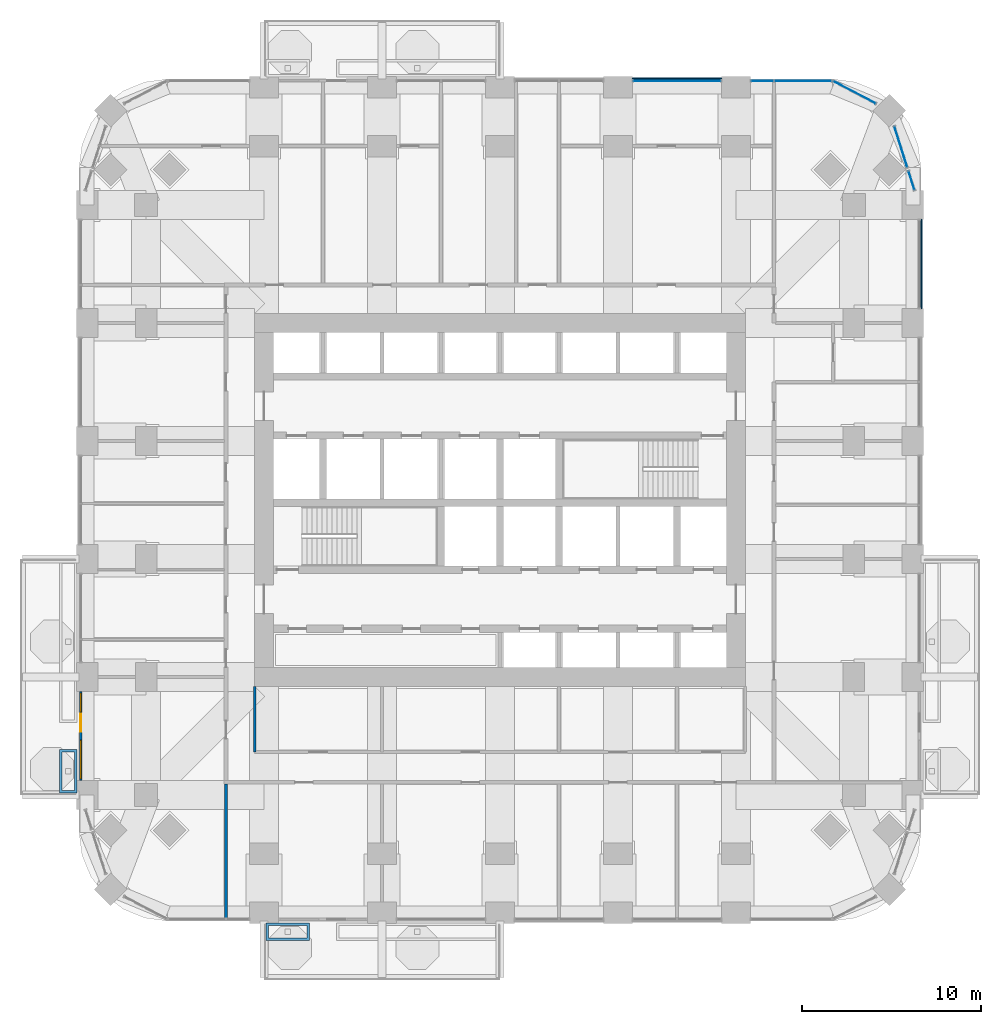
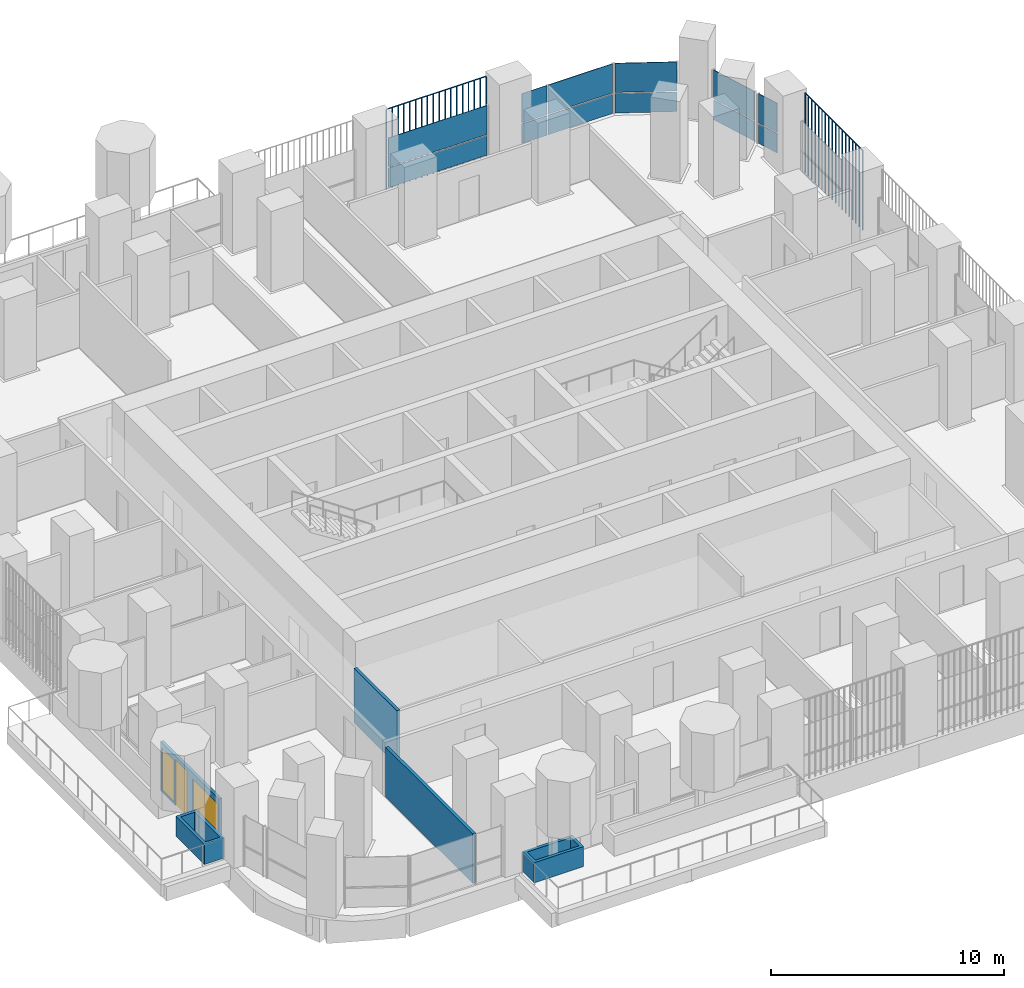
# One storey, part 12 of 21: 14 plates, 5 walls, 2 windows, 1 door, 3 openings, 5 elements without a shape of their own.
"""IFC4 building model written with IfcOpenShell, lengths in metres."""

from ifc_helpers import new_model, si_unit, direction, frame, frame_2d, origin, origin_2d, place, context, subcontext, project, spatial, polyline, rectangle, outline, extrude, material, layer, layer_set, type_object, element, fill, aggregate, save


model = new_model("IFC4")

# Units and contexts
model_context = context("Model", 3, precision=1e-05, world=origin(), true_north=direction((0.0, 1.0)))
body_context = subcontext(model_context, "Body", "Model", "MODEL_VIEW")
ifc_project = project(units=[si_unit("LENGTHUNIT", "METRE"), si_unit("AREAUNIT", "SQUARE_METRE"), si_unit("VOLUMEUNIT", "CUBIC_METRE"), si_unit("PLANEANGLEUNIT", "RADIAN"), si_unit("MASSUNIT", "GRAM", prefix="KILO")], contexts=[model_context])

# Site, building, storey
site_placement = place(None, origin())
site = spatial("IfcSite", under=ifc_project, at=site_placement, CompositionType="ELEMENT")
building_placement = place(site_placement, origin())
building = spatial("IfcBuilding", under=site, at=building_placement, Name="Cobogo Forest Laboratory Tower", CompositionType="ELEMENT")
storey_placement = place(building_placement, frame((0.0, 0.0, 141.0)))
storey = spatial("IfcBuildingStorey", under=building, at=storey_placement, Name="L32", CompositionType="ELEMENT", Elevation=141.0)

# Curtain wall, plates
ifc_material_1 = material(Name="Aluminium curtain wall", Category="aluminium")
curtain_wall_type = type_object("IfcCurtainWallType", Name="CW-1 unitised curtain wall, clear glazing, laboratory floors zones A and B", PredefinedType="USERDEFINED", material=ifc_material_1)
curtain_wall_1_placement = place(storey_placement, origin())
curtain_wall_1 = element("IfcCurtainWall", 1, at=curtain_wall_1_placement, inside=storey, type_object=curtain_wall_type, Name="Curtain wall 15 L32", ObjectType="UNITISED CURTAIN WALL", PredefinedType="USERDEFINED")
ifc_material_2 = material(Name="Clear insulated glass", Category="glass")
ifc_layer_1 = layer(ifc_material_2, 0.028076171875)
ifc_layer_set_1 = layer_set([ifc_layer_1], Name="GP-1 clear insulated glass unit 28")
plate_type_1 = type_object("IfcPlateType", Name="GP-1 clear insulated glass unit 28", PredefinedType="CURTAIN_PANEL", material=ifc_layer_set_1)
plate_1_placement = place(storey_placement, frame((49.41796875, 40.9677734375, 0.0), z_axis=(0.0, 0.0, 1.0), x_axis=(-0.301135667865, 0.953581307252, 0.0)))
plate_1 = element("IfcPlate", 2, at=plate_1_placement, type_object=plate_type_1, Name="CW-1 panel 1.1", PredefinedType="CURTAIN_PANEL", context=body_context, shape_type="SweptSolid", body=[
    extrude(rectangle(XDim=1.071044921875, YDim=0.028076171875, at=origin_2d()), origin(), (0.0, 0.0, 1.0), 1.02001953125),
])
plate_2_placement = place(storey_placement, frame((49.41796875, 40.9677734375, 1.080078125), z_axis=(0.0, 0.0, 1.0), x_axis=(-0.301135667865, 0.953581307252, 0.0)))
plate_2 = element("IfcPlate", 3, at=plate_2_placement, type_object=plate_type_1, Name="CW-1 panel 1.2", PredefinedType="CURTAIN_PANEL", context=body_context, shape_type="SweptSolid", body=[
    extrude(rectangle(XDim=1.071044921875, YDim=0.028076171875, at=origin_2d()), origin(), (0.0, 0.0, 1.0), 1.52001953125),
])
aggregate(curtain_wall_1, [plate_1, plate_2])

curtain_wall_2_placement = place(storey_placement, origin())
curtain_wall_2 = element("IfcCurtainWall", 4, at=curtain_wall_2_placement, inside=storey, type_object=curtain_wall_type, Name="Curtain wall 16 L32", ObjectType="UNITISED CURTAIN WALL", PredefinedType="USERDEFINED")
plate_3_placement = place(storey_placement, frame((48.8212890625, 42.857421875, 0.0), z_axis=(0.0, 0.0, 1.0), x_axis=(-0.301135291996, 0.953581425949, 0.0)))
plate_3 = element("IfcPlate", 5, at=plate_3_placement, type_object=plate_type_1, Name="CW-1 panel 1.1", PredefinedType="CURTAIN_PANEL", context=body_context, shape_type="SweptSolid", body=[
    extrude(rectangle(XDim=2.3681640625, YDim=0.028076171875, at=origin_2d()), origin(), (0.0, 0.0, 1.0), 1.02001953125),
])
plate_4_placement = place(storey_placement, frame((48.8212890625, 42.857421875, 1.080078125), z_axis=(0.0, 0.0, 1.0), x_axis=(-0.301135291996, 0.953581425949, 0.0)))
plate_4 = element("IfcPlate", 6, at=plate_4_placement, type_object=plate_type_1, Name="CW-1 panel 1.2", PredefinedType="CURTAIN_PANEL", context=body_context, shape_type="SweptSolid", body=[
    extrude(rectangle(XDim=2.3681640625, YDim=0.028076171875, at=origin_2d()), origin(), (0.0, 0.0, 1.0), 1.52001953125),
])
aggregate(curtain_wall_2, [plate_3, plate_4])

curtain_wall_3_placement = place(storey_placement, origin())
curtain_wall_3 = element("IfcCurtainWall", 7, at=curtain_wall_3_placement, inside=storey, type_object=curtain_wall_type, Name="Curtain wall 17 L32", ObjectType="UNITISED CURTAIN WALL", PredefinedType="USERDEFINED")
plate_5_placement = place(storey_placement, frame((46.229248046875, 45.90576171875, 0.0), z_axis=(0.0, 0.0, 1.0), x_axis=(-0.885686547075, 0.464283685186, 0.0)))
plate_5 = element("IfcPlate", 8, at=plate_5_placement, type_object=plate_type_1, Name="CW-1 panel 1.1", PredefinedType="CURTAIN_PANEL", context=body_context, shape_type="SweptSolid", body=[
    extrude(rectangle(XDim=2.655517578125, YDim=0.028076171875, at=origin_2d()), origin(), (0.0, 0.0, 1.0), 1.02001953125),
])
plate_6_placement = place(storey_placement, frame((46.229248046875, 45.90576171875, 1.080078125), z_axis=(0.0, 0.0, 1.0), x_axis=(-0.885686547075, 0.464283685186, 0.0)))
plate_6 = element("IfcPlate", 9, at=plate_6_placement, type_object=plate_type_1, Name="CW-1 panel 1.2", PredefinedType="CURTAIN_PANEL", context=body_context, shape_type="SweptSolid", body=[
    extrude(rectangle(XDim=2.655517578125, YDim=0.028076171875, at=origin_2d()), origin(), (0.0, 0.0, 1.0), 1.52001953125),
])
aggregate(curtain_wall_3, [plate_5, plate_6])

curtain_wall_4_placement = place(storey_placement, origin())
curtain_wall_4 = element("IfcCurtainWall", 10, at=curtain_wall_4_placement, inside=storey, type_object=curtain_wall_type, Name="Curtain wall 18 L32", ObjectType="UNITISED CURTAIN WALL", PredefinedType="USERDEFINED")
plate_7_placement = place(storey_placement, frame((43.347412109375, 46.550048828125, 0.0), z_axis=(0.0, 0.0, 1.0), x_axis=(-1.0, 0.0, 0.0)))
plate_7 = element("IfcPlate", 11, at=plate_7_placement, type_object=plate_type_1, Name="CW-1 panel 1.1", PredefinedType="CURTAIN_PANEL", context=body_context, shape_type="SweptSolid", body=[
    extrude(rectangle(XDim=3.18505859375, YDim=0.028076171875, at=origin_2d()), origin(), (0.0, 0.0, 1.0), 1.02001953125),
])
plate_8_placement = place(storey_placement, frame((43.347412109375, 46.550048828125, 1.080078125), z_axis=(0.0, 0.0, 1.0), x_axis=(-1.0, 0.0, 0.0)))
plate_8 = element("IfcPlate", 12, at=plate_8_placement, type_object=plate_type_1, Name="CW-1 panel 1.2", PredefinedType="CURTAIN_PANEL", context=body_context, shape_type="SweptSolid", body=[
    extrude(rectangle(XDim=3.18505859375, YDim=0.028076171875, at=origin_2d()), origin(), (0.0, 0.0, 1.0), 1.52001953125),
])
plate_9_placement = place(storey_placement, frame((41.077392578125, 46.550048828125, 0.0), z_axis=(0.0, 0.0, 1.0), x_axis=(-1.0, 0.0, 0.0)))
plate_9 = element("IfcPlate", 13, at=plate_9_placement, type_object=plate_type_1, Name="CW-1 panel 2.1", PredefinedType="CURTAIN_PANEL", context=body_context, shape_type="SweptSolid", body=[
    extrude(rectangle(XDim=1.235107421875, YDim=0.028076171875, at=origin_2d()), origin(), (0.0, 0.0, 1.0), 1.02001953125),
])
plate_10_placement = place(storey_placement, frame((41.077392578125, 46.550048828125, 1.080078125), z_axis=(0.0, 0.0, 1.0), x_axis=(-1.0, 0.0, 0.0)))
plate_10 = element("IfcPlate", 14, at=plate_10_placement, type_object=plate_type_1, Name="CW-1 panel 2.2", PredefinedType="CURTAIN_PANEL", context=body_context, shape_type="SweptSolid", body=[
    extrude(rectangle(XDim=1.235107421875, YDim=0.028076171875, at=origin_2d()), origin(), (0.0, 0.0, 1.0), 1.52001953125),
])
aggregate(curtain_wall_4, [plate_7, plate_8, plate_9, plate_10])

curtain_wall_5_placement = place(storey_placement, origin())
curtain_wall_5 = element("IfcCurtainWall", 15, at=curtain_wall_5_placement, inside=storey, type_object=curtain_wall_type, Name="Curtain wall 19 L32", ObjectType="UNITISED CURTAIN WALL", PredefinedType="USERDEFINED")
plate_11_placement = place(storey_placement, frame((36.300048828125, 46.550048828125, 0.0), z_axis=(0.0, 0.0, 1.0), x_axis=(-1.0, 0.0, 0.0)))
plate_11 = element("IfcPlate", 16, at=plate_11_placement, type_object=plate_type_1, Name="CW-1 panel 1.1", PredefinedType="CURTAIN_PANEL", context=body_context, shape_type="SweptSolid", body=[
    extrude(rectangle(XDim=4.8798828125, YDim=0.028076171875, at=origin_2d()), origin(), (0.0, 0.0, 1.0), 1.02001953125),
])
plate_12_placement = place(storey_placement, frame((36.300048828125, 46.550048828125, 1.080078125), z_axis=(0.0, 0.0, 1.0), x_axis=(-1.0, 0.0, 0.0)))
plate_12 = element("IfcPlate", 17, at=plate_12_placement, type_object=plate_type_1, Name="CW-1 panel 1.2", PredefinedType="CURTAIN_PANEL", context=body_context, shape_type="SweptSolid", body=[
    extrude(rectangle(XDim=4.8798828125, YDim=0.028076171875, at=origin_2d()), origin(), (0.0, 0.0, 1.0), 1.52001953125),
])
aggregate(curtain_wall_5, [plate_11, plate_12])

# Plates
ifc_material_3 = material(Name="Terracotta", Category="masonry")
plate_type_2 = type_object("IfcPlateType", Name="TB1 terracotta baguette screen", PredefinedType="USERDEFINED", material=ifc_material_3)
plate_13_placement = place(storey_placement, frame((49.977783203125, 33.831298828125, -0.14990234375)))
element("IfcPlate", 18, at=plate_13_placement, inside=storey, type_object=plate_type_2, Name="Baguette screen E5 L32", ObjectType="BAGUETTE SCREEN", PredefinedType="USERDEFINED", context=body_context, shape_type="SweptSolid", body=[
    extrude(outline(polyline([(0.02880859375, 0.011962890625), (0.011962890625, 0.02880859375), (-0.011962890625, 0.02880859375), (-0.02880859375, 0.011962890625), (-0.02880859375, -0.011962890625), (-0.011962890625, -0.02880859375), (0.011962890625, -0.02880859375), (0.02880859375, -0.011962890625), (0.02880859375, 0.011962890625)])), frame((0.0, 0.0, 4.168701171875), z_axis=(0.0, 1.0, 0.0), x_axis=(-1.0, 0.0, 0.0)), (0.0, 0.0, 1.0), 4.9375),
    extrude(outline(polyline([(0.02880859375, 0.011962890625), (0.011962890625, 0.02880859375), (-0.011962890625, 0.02880859375), (-0.02880859375, 0.011962890625), (-0.02880859375, -0.011962890625), (-0.011962890625, -0.02880859375), (0.011962890625, -0.02880859375), (0.02880859375, -0.011962890625), (0.02880859375, 0.011962890625)])), origin(), (0.0, 0.0, 1.0), 4.137451171875),
    extrude(outline(polyline([(0.02880859375, 0.011962890625), (0.011962890625, 0.02880859375), (-0.011962890625, 0.02880859375), (-0.02880859375, 0.011962890625), (-0.02880859375, -0.011962890625), (-0.011962890625, -0.02880859375), (0.011962890625, -0.02880859375), (0.02880859375, -0.011962890625), (0.02880859375, 0.011962890625)])), frame((0.0, 0.29052734375, 0.0)), (0.0, 0.0, 1.0), 4.137451171875),
    extrude(outline(polyline([(0.02880859375, 0.011962890625), (0.011962890625, 0.02880859375), (-0.011962890625, 0.02880859375), (-0.02880859375, 0.011962890625), (-0.02880859375, -0.011962890625), (-0.011962890625, -0.02880859375), (0.011962890625, -0.02880859375), (0.02880859375, -0.011962890625), (0.02880859375, 0.011962890625)])), frame((0.0, 0.580810546875, 0.0)), (0.0, 0.0, 1.0), 4.137451171875),
    extrude(outline(polyline([(0.02880859375, 0.011962890625), (0.011962890625, 0.02880859375), (-0.011962890625, 0.02880859375), (-0.02880859375, 0.011962890625), (-0.02880859375, -0.011962890625), (-0.011962890625, -0.02880859375), (0.011962890625, -0.02880859375), (0.02880859375, -0.011962890625), (0.02880859375, 0.011962890625)])), frame((0.0, 0.871337890625, 0.0)), (0.0, 0.0, 1.0), 4.137451171875),
    extrude(outline(polyline([(0.02880859375, 0.011962890625), (0.011962890625, 0.02880859375), (-0.011962890625, 0.02880859375), (-0.02880859375, 0.011962890625), (-0.02880859375, -0.011962890625), (-0.011962890625, -0.02880859375), (0.011962890625, -0.02880859375), (0.02880859375, -0.011962890625), (0.02880859375, 0.011962890625)])), frame((0.0, 1.161865234375, 0.0)), (0.0, 0.0, 1.0), 4.137451171875),
    extrude(outline(polyline([(0.02880859375, 0.011962890625), (0.011962890625, 0.02880859375), (-0.011962890625, 0.02880859375), (-0.02880859375, 0.011962890625), (-0.02880859375, -0.011962890625), (-0.011962890625, -0.02880859375), (0.011962890625, -0.02880859375), (0.02880859375, -0.011962890625), (0.02880859375, 0.011962890625)])), frame((0.0, 1.4521484375, 0.0)), (0.0, 0.0, 1.0), 4.137451171875),
    extrude(outline(polyline([(0.02880859375, 0.011962890625), (0.011962890625, 0.02880859375), (-0.011962890625, 0.02880859375), (-0.02880859375, 0.011962890625), (-0.02880859375, -0.011962890625), (-0.011962890625, -0.02880859375), (0.011962890625, -0.02880859375), (0.02880859375, -0.011962890625), (0.02880859375, 0.011962890625)])), frame((0.0, 1.74267578125, 0.0)), (0.0, 0.0, 1.0), 4.137451171875),
    extrude(outline(polyline([(0.02880859375, 0.011962890625), (0.011962890625, 0.02880859375), (-0.011962890625, 0.02880859375), (-0.02880859375, 0.011962890625), (-0.02880859375, -0.011962890625), (-0.011962890625, -0.02880859375), (0.011962890625, -0.02880859375), (0.02880859375, -0.011962890625), (0.02880859375, 0.011962890625)])), frame((0.0, 2.033203125, 0.0)), (0.0, 0.0, 1.0), 4.137451171875),
    extrude(outline(polyline([(0.02880859375, 0.011962890625), (0.011962890625, 0.02880859375), (-0.011962890625, 0.02880859375), (-0.02880859375, 0.011962890625), (-0.02880859375, -0.011962890625), (-0.011962890625, -0.02880859375), (0.011962890625, -0.02880859375), (0.02880859375, -0.011962890625), (0.02880859375, 0.011962890625)])), frame((0.0, 2.323486328125, 0.0)), (0.0, 0.0, 1.0), 4.137451171875),
    extrude(outline(polyline([(0.02880859375, 0.011962890625), (0.011962890625, 0.02880859375), (-0.011962890625, 0.02880859375), (-0.02880859375, 0.011962890625), (-0.02880859375, -0.011962890625), (-0.011962890625, -0.02880859375), (0.011962890625, -0.02880859375), (0.02880859375, -0.011962890625), (0.02880859375, 0.011962890625)])), frame((0.0, 2.614013671875, 0.0)), (0.0, 0.0, 1.0), 4.137451171875),
    extrude(outline(polyline([(0.02880859375, 0.011962890625), (0.011962890625, 0.02880859375), (-0.011962890625, 0.02880859375), (-0.02880859375, 0.011962890625), (-0.02880859375, -0.011962890625), (-0.011962890625, -0.02880859375), (0.011962890625, -0.02880859375), (0.02880859375, -0.011962890625), (0.02880859375, 0.011962890625)])), frame((0.0, 2.904296875, 0.0)), (0.0, 0.0, 1.0), 4.137451171875),
    extrude(outline(polyline([(0.02880859375, 0.011962890625), (0.011962890625, 0.02880859375), (-0.011962890625, 0.02880859375), (-0.02880859375, 0.011962890625), (-0.02880859375, -0.011962890625), (-0.011962890625, -0.02880859375), (0.011962890625, -0.02880859375), (0.02880859375, -0.011962890625), (0.02880859375, 0.011962890625)])), frame((0.0, 3.19482421875, 0.0)), (0.0, 0.0, 1.0), 4.137451171875),
    extrude(outline(polyline([(0.02880859375, 0.011962890625), (0.011962890625, 0.02880859375), (-0.011962890625, 0.02880859375), (-0.02880859375, 0.011962890625), (-0.02880859375, -0.011962890625), (-0.011962890625, -0.02880859375), (0.011962890625, -0.02880859375), (0.02880859375, -0.011962890625), (0.02880859375, 0.011962890625)])), frame((0.0, 3.4853515625, 0.0)), (0.0, 0.0, 1.0), 4.137451171875),
    extrude(outline(polyline([(0.02880859375, 0.011962890625), (0.011962890625, 0.02880859375), (-0.011962890625, 0.02880859375), (-0.02880859375, 0.011962890625), (-0.02880859375, -0.011962890625), (-0.011962890625, -0.02880859375), (0.011962890625, -0.02880859375), (0.02880859375, -0.011962890625), (0.02880859375, 0.011962890625)])), frame((0.0, 3.775634765625, 0.0)), (0.0, 0.0, 1.0), 4.137451171875),
    extrude(outline(polyline([(0.02880859375, 0.011962890625), (0.011962890625, 0.02880859375), (-0.011962890625, 0.02880859375), (-0.02880859375, 0.011962890625), (-0.02880859375, -0.011962890625), (-0.011962890625, -0.02880859375), (0.011962890625, -0.02880859375), (0.02880859375, -0.011962890625), (0.02880859375, 0.011962890625)])), frame((0.0, 4.066162109375, 0.0)), (0.0, 0.0, 1.0), 4.137451171875),
    extrude(outline(polyline([(0.02880859375, 0.011962890625), (0.011962890625, 0.02880859375), (-0.011962890625, 0.02880859375), (-0.02880859375, 0.011962890625), (-0.02880859375, -0.011962890625), (-0.011962890625, -0.02880859375), (0.011962890625, -0.02880859375), (0.02880859375, -0.011962890625), (0.02880859375, 0.011962890625)])), frame((0.0, 4.356689453125, 0.0)), (0.0, 0.0, 1.0), 4.137451171875),
    extrude(outline(polyline([(0.02880859375, 0.011962890625), (0.011962890625, 0.02880859375), (-0.011962890625, 0.02880859375), (-0.02880859375, 0.011962890625), (-0.02880859375, -0.011962890625), (-0.011962890625, -0.02880859375), (0.011962890625, -0.02880859375), (0.02880859375, -0.011962890625), (0.02880859375, 0.011962890625)])), frame((0.0, 4.64697265625, 0.0)), (0.0, 0.0, 1.0), 4.137451171875),
    extrude(outline(polyline([(0.02880859375, 0.011962890625), (0.011962890625, 0.02880859375), (-0.011962890625, 0.02880859375), (-0.02880859375, 0.011962890625), (-0.02880859375, -0.011962890625), (-0.011962890625, -0.02880859375), (0.011962890625, -0.02880859375), (0.02880859375, -0.011962890625), (0.02880859375, 0.011962890625)])), frame((0.0, 4.9375, 0.0)), (0.0, 0.0, 1.0), 4.137451171875),
])
plate_14_placement = place(storey_placement, frame((33.831298828125, 46.677978515625, -0.14990234375)))
element("IfcPlate", 19, at=plate_14_placement, inside=storey, type_object=plate_type_2, Name="Baguette screen N4 L32", ObjectType="BAGUETTE SCREEN", PredefinedType="USERDEFINED", context=body_context, shape_type="SweptSolid", body=[
    extrude(outline(polyline([(0.02880859375, 0.011962890625), (0.011962890625, 0.02880859375), (-0.011962890625, 0.02880859375), (-0.02880859375, 0.011962890625), (-0.02880859375, -0.011962890625), (-0.011962890625, -0.02880859375), (0.011962890625, -0.02880859375), (0.02880859375, -0.011962890625), (0.02880859375, 0.011962890625)])), frame((0.0, 0.0, 4.168701171875), z_axis=(1.0, 0.0, 0.0), x_axis=(0.0, 1.0, 0.0)), (0.0, 0.0, 1.0), 4.9375),
    extrude(outline(polyline([(0.02880859375, 0.011962890625), (0.011962890625, 0.02880859375), (-0.011962890625, 0.02880859375), (-0.02880859375, 0.011962890625), (-0.02880859375, -0.011962890625), (-0.011962890625, -0.02880859375), (0.011962890625, -0.02880859375), (0.02880859375, -0.011962890625), (0.02880859375, 0.011962890625)])), origin(), (0.0, 0.0, 1.0), 4.137451171875),
    extrude(outline(polyline([(0.02880859375, 0.011962890625), (0.011962890625, 0.02880859375), (-0.011962890625, 0.02880859375), (-0.02880859375, 0.011962890625), (-0.02880859375, -0.011962890625), (-0.011962890625, -0.02880859375), (0.011962890625, -0.02880859375), (0.02880859375, -0.011962890625), (0.02880859375, 0.011962890625)])), frame((0.29052734375, 0.0, 0.0)), (0.0, 0.0, 1.0), 4.137451171875),
    extrude(outline(polyline([(0.02880859375, 0.011962890625), (0.011962890625, 0.02880859375), (-0.011962890625, 0.02880859375), (-0.02880859375, 0.011962890625), (-0.02880859375, -0.011962890625), (-0.011962890625, -0.02880859375), (0.011962890625, -0.02880859375), (0.02880859375, -0.011962890625), (0.02880859375, 0.011962890625)])), frame((0.580810546875, 0.0, 0.0)), (0.0, 0.0, 1.0), 4.137451171875),
    extrude(outline(polyline([(0.02880859375, 0.011962890625), (0.011962890625, 0.02880859375), (-0.011962890625, 0.02880859375), (-0.02880859375, 0.011962890625), (-0.02880859375, -0.011962890625), (-0.011962890625, -0.02880859375), (0.011962890625, -0.02880859375), (0.02880859375, -0.011962890625), (0.02880859375, 0.011962890625)])), frame((0.871337890625, 0.0, 0.0)), (0.0, 0.0, 1.0), 4.137451171875),
    extrude(outline(polyline([(0.02880859375, 0.011962890625), (0.011962890625, 0.02880859375), (-0.011962890625, 0.02880859375), (-0.02880859375, 0.011962890625), (-0.02880859375, -0.011962890625), (-0.011962890625, -0.02880859375), (0.011962890625, -0.02880859375), (0.02880859375, -0.011962890625), (0.02880859375, 0.011962890625)])), frame((1.161865234375, 0.0, 0.0)), (0.0, 0.0, 1.0), 4.137451171875),
    extrude(outline(polyline([(0.02880859375, 0.011962890625), (0.011962890625, 0.02880859375), (-0.011962890625, 0.02880859375), (-0.02880859375, 0.011962890625), (-0.02880859375, -0.011962890625), (-0.011962890625, -0.02880859375), (0.011962890625, -0.02880859375), (0.02880859375, -0.011962890625), (0.02880859375, 0.011962890625)])), frame((1.4521484375, 0.0, 0.0)), (0.0, 0.0, 1.0), 4.137451171875),
    extrude(outline(polyline([(0.02880859375, 0.011962890625), (0.011962890625, 0.02880859375), (-0.011962890625, 0.02880859375), (-0.02880859375, 0.011962890625), (-0.02880859375, -0.011962890625), (-0.011962890625, -0.02880859375), (0.011962890625, -0.02880859375), (0.02880859375, -0.011962890625), (0.02880859375, 0.011962890625)])), frame((1.74267578125, 0.0, 0.0)), (0.0, 0.0, 1.0), 4.137451171875),
    extrude(outline(polyline([(0.02880859375, 0.011962890625), (0.011962890625, 0.02880859375), (-0.011962890625, 0.02880859375), (-0.02880859375, 0.011962890625), (-0.02880859375, -0.011962890625), (-0.011962890625, -0.02880859375), (0.011962890625, -0.02880859375), (0.02880859375, -0.011962890625), (0.02880859375, 0.011962890625)])), frame((2.033203125, 0.0, 0.0)), (0.0, 0.0, 1.0), 4.137451171875),
    extrude(outline(polyline([(0.02880859375, 0.011962890625), (0.011962890625, 0.02880859375), (-0.011962890625, 0.02880859375), (-0.02880859375, 0.011962890625), (-0.02880859375, -0.011962890625), (-0.011962890625, -0.02880859375), (0.011962890625, -0.02880859375), (0.02880859375, -0.011962890625), (0.02880859375, 0.011962890625)])), frame((2.323486328125, 0.0, 0.0)), (0.0, 0.0, 1.0), 4.137451171875),
    extrude(outline(polyline([(0.02880859375, 0.011962890625), (0.011962890625, 0.02880859375), (-0.011962890625, 0.02880859375), (-0.02880859375, 0.011962890625), (-0.02880859375, -0.011962890625), (-0.011962890625, -0.02880859375), (0.011962890625, -0.02880859375), (0.02880859375, -0.011962890625), (0.02880859375, 0.011962890625)])), frame((2.614013671875, 0.0, 0.0)), (0.0, 0.0, 1.0), 4.137451171875),
    extrude(outline(polyline([(0.02880859375, 0.011962890625), (0.011962890625, 0.02880859375), (-0.011962890625, 0.02880859375), (-0.02880859375, 0.011962890625), (-0.02880859375, -0.011962890625), (-0.011962890625, -0.02880859375), (0.011962890625, -0.02880859375), (0.02880859375, -0.011962890625), (0.02880859375, 0.011962890625)])), frame((2.904296875, 0.0, 0.0)), (0.0, 0.0, 1.0), 4.137451171875),
    extrude(outline(polyline([(0.02880859375, 0.011962890625), (0.011962890625, 0.02880859375), (-0.011962890625, 0.02880859375), (-0.02880859375, 0.011962890625), (-0.02880859375, -0.011962890625), (-0.011962890625, -0.02880859375), (0.011962890625, -0.02880859375), (0.02880859375, -0.011962890625), (0.02880859375, 0.011962890625)])), frame((3.19482421875, 0.0, 0.0)), (0.0, 0.0, 1.0), 4.137451171875),
    extrude(outline(polyline([(0.02880859375, 0.011962890625), (0.011962890625, 0.02880859375), (-0.011962890625, 0.02880859375), (-0.02880859375, 0.011962890625), (-0.02880859375, -0.011962890625), (-0.011962890625, -0.02880859375), (0.011962890625, -0.02880859375), (0.02880859375, -0.011962890625), (0.02880859375, 0.011962890625)])), frame((3.4853515625, 0.0, 0.0)), (0.0, 0.0, 1.0), 4.137451171875),
    extrude(outline(polyline([(0.02880859375, 0.011962890625), (0.011962890625, 0.02880859375), (-0.011962890625, 0.02880859375), (-0.02880859375, 0.011962890625), (-0.02880859375, -0.011962890625), (-0.011962890625, -0.02880859375), (0.011962890625, -0.02880859375), (0.02880859375, -0.011962890625), (0.02880859375, 0.011962890625)])), frame((3.775634765625, 0.0, 0.0)), (0.0, 0.0, 1.0), 4.137451171875),
    extrude(outline(polyline([(0.02880859375, 0.011962890625), (0.011962890625, 0.02880859375), (-0.011962890625, 0.02880859375), (-0.02880859375, 0.011962890625), (-0.02880859375, -0.011962890625), (-0.011962890625, -0.02880859375), (0.011962890625, -0.02880859375), (0.02880859375, -0.011962890625), (0.02880859375, 0.011962890625)])), frame((4.066162109375, 0.0, 0.0)), (0.0, 0.0, 1.0), 4.137451171875),
    extrude(outline(polyline([(0.02880859375, 0.011962890625), (0.011962890625, 0.02880859375), (-0.011962890625, 0.02880859375), (-0.02880859375, 0.011962890625), (-0.02880859375, -0.011962890625), (-0.011962890625, -0.02880859375), (0.011962890625, -0.02880859375), (0.02880859375, -0.011962890625), (0.02880859375, 0.011962890625)])), frame((4.356689453125, 0.0, 0.0)), (0.0, 0.0, 1.0), 4.137451171875),
    extrude(outline(polyline([(0.02880859375, 0.011962890625), (0.011962890625, 0.02880859375), (-0.011962890625, 0.02880859375), (-0.02880859375, 0.011962890625), (-0.02880859375, -0.011962890625), (-0.011962890625, -0.02880859375), (0.011962890625, -0.02880859375), (0.02880859375, -0.011962890625), (0.02880859375, 0.011962890625)])), frame((4.64697265625, 0.0, 0.0)), (0.0, 0.0, 1.0), 4.137451171875),
    extrude(outline(polyline([(0.02880859375, 0.011962890625), (0.011962890625, 0.02880859375), (-0.011962890625, 0.02880859375), (-0.02880859375, 0.011962890625), (-0.02880859375, -0.011962890625), (-0.011962890625, -0.02880859375), (0.011962890625, -0.02880859375), (0.02880859375, -0.011962890625), (0.02880859375, 0.011962890625)])), frame((4.9375, 0.0, 0.0)), (0.0, 0.0, 1.0), 4.137451171875),
])

# Wall, openings, door, windows
ifc_material_4 = material(Name="Aluminium framed glazed screen", Category="aluminium")
ifc_layer_2 = layer(ifc_material_4, 0.14990234375)
ifc_layer_set_2 = layer_set([ifc_layer_2], Name="GS1 glazed door screen 150")
wall_type_1 = type_object("IfcWallType", Name="GS1 glazed door screen 150", PredefinedType="SOLIDWALL", material=ifc_layer_set_2)
wall_1_placement = place(storey_placement, frame((2.949951171875, 12.39990234375, 0.0), z_axis=(0.0, 0.0, 1.0), x_axis=(0.0, -1.0, 0.0)))
wall_1 = element("IfcWall", 20, at=wall_1_placement, inside=storey, type_object=wall_type_1, Name="Door screen BAL-W1 L32", PredefinedType="SOLIDWALL", context=body_context, shape_type="SweptSolid", body=[
    extrude(rectangle(XDim=5.0, YDim=0.14990234375, at=frame_2d((2.5, 0.0))), origin(), (0.0, 0.0, 1.0), 2.60009765625),
])
opening_1_placement = place(wall_1_placement, frame((1.25, 0.0, 0.0)))
opening_1 = element("IfcOpeningElement", 21, at=opening_1_placement, cuts=wall_1, Name="Opening L32-D11", PredefinedType="OPENING", context=body_context, shape_type="SweptSolid", body=[
    extrude(rectangle(XDim=1.0, YDim=2.39990234375, at=frame_2d((0.5, 1.199951171875))), frame((0.0, 0.0849609375, 0.0), z_axis=(0.0, -1.0, 0.0), x_axis=(1.0, 0.0, 0.0)), (0.0, 0.0, 1.0), 0.169921875),
])
opening_2_placement = place(wall_1_placement, frame((0.10009765625, 0.0, 0.10009765625)))
opening_2 = element("IfcOpeningElement", 22, at=opening_2_placement, cuts=wall_1, Name="Opening L32-W05", PredefinedType="OPENING", context=body_context, shape_type="SweptSolid", body=[
    extrude(rectangle(XDim=1.050048828125, YDim=2.199951171875, at=frame_2d((0.52490234375, 1.10009765625))), frame((0.0, 0.0849609375, 0.0), z_axis=(0.0, -1.0, 0.0), x_axis=(1.0, 0.0, 0.0)), (0.0, 0.0, 1.0), 0.169921875),
])
opening_3_placement = place(wall_1_placement, frame((2.75, 0.0, 0.10009765625)))
opening_3 = element("IfcOpeningElement", 23, at=opening_3_placement, cuts=wall_1, Name="Opening L32-W03", PredefinedType="OPENING", context=body_context, shape_type="SweptSolid", body=[
    extrude(rectangle(XDim=2.14990234375, YDim=2.199951171875, at=frame_2d((1.074951171875, 1.10009765625))), frame((0.0, 0.0849609375, 0.0), z_axis=(0.0, -1.0, 0.0), x_axis=(1.0, 0.0, 0.0)), (0.0, 0.0, 1.0), 0.169921875),
])
ifc_material_5 = material(Name="Aluminium glazed door", Category="aluminium")
door_type = type_object("IfcDoorType", Name="DB1 balcony door 1000 glazed", OperationType="SINGLE_SWING_LEFT", PredefinedType="DOOR", material=ifc_material_5)
door_placement = place(opening_1_placement, origin())
door = element("IfcDoor", 24, at=door_placement, inside=storey, type_object=door_type, Name="Door L32-BAL-W1", OperationType="SINGLE_SWING_LEFT", OverallHeight=2.39990234375, OverallWidth=1.0, PredefinedType="DOOR", context=body_context, shape_type="SweptSolid", body=[
    extrude(rectangle(XDim=1.0, YDim=2.39990234375, at=frame_2d((0.5, 1.199951171875))), frame((0.0, 0.02490234375, 0.0), z_axis=(0.0, -1.0, 0.0), x_axis=(1.0, 0.0, 0.0)), (0.0, 0.0, 1.0), 0.050048828125),
])
fill(opening_1, door)
ifc_material_6 = material(Name="Aluminium framed glazing", Category="aluminium")
window_type_1 = type_object("IfcWindowType", Name="WG17 fixed glazed light 2150x2200", PartitioningType="SINGLE_PANEL", PredefinedType="WINDOW", material=ifc_material_6)
window_1_placement = place(opening_3_placement, origin())
window_1 = element("IfcWindow", 25, at=window_1_placement, inside=storey, type_object=window_type_1, Name="Window L32-BAL-W1-2", OverallHeight=2.199951171875, OverallWidth=2.14990234375, PartitioningType="SINGLE_PANEL", PredefinedType="WINDOW", context=body_context, shape_type="SweptSolid", body=[
    extrude(rectangle(XDim=2.14990234375, YDim=2.199951171875, at=frame_2d((1.074951171875, 1.10009765625))), frame((0.0, 0.030029296875, 0.0), z_axis=(0.0, -1.0, 0.0), x_axis=(1.0, 0.0, 0.0)), (0.0, 0.0, 1.0), 0.06005859375),
])
fill(opening_3, window_1)
window_type_2 = type_object("IfcWindowType", Name="WG18 fixed glazed light 1050x2200", PartitioningType="SINGLE_PANEL", PredefinedType="WINDOW", material=ifc_material_6)
window_2_placement = place(opening_2_placement, origin())
window_2 = element("IfcWindow", 26, at=window_2_placement, inside=storey, type_object=window_type_2, Name="Window L32-BAL-W1-1", OverallHeight=2.199951171875, OverallWidth=1.050048828125, PartitioningType="SINGLE_PANEL", PredefinedType="WINDOW", context=body_context, shape_type="SweptSolid", body=[
    extrude(rectangle(XDim=1.050048828125, YDim=2.199951171875, at=frame_2d((0.52490234375, 1.10009765625))), frame((0.0, 0.030029296875, 0.0), z_axis=(0.0, -1.0, 0.0), x_axis=(1.0, 0.0, 0.0)), (0.0, 0.0, 1.0), 0.06005859375),
])
fill(opening_2, window_2)

# Walls
ifc_material_7 = material(Name="Gypsum board on steel studs", Category="steel")
ifc_layer_3 = layer(ifc_material_7, 0.14990234375)
ifc_layer_set_3 = layer_set([ifc_layer_3], Name="PT1 laboratory partition 150")
wall_type_2 = type_object("IfcWallType", Name="PT1 laboratory partition 150", PredefinedType="PARTITIONING", material=ifc_layer_set_3)
wall_2_placement = place(storey_placement, frame((12.675048828125, 12.675048828125, 0.0), z_axis=(0.0, 0.0, 1.0), x_axis=(0.0, -1.0, 0.0)))
element("IfcWall", 27, at=wall_2_placement, inside=storey, type_object=wall_type_2, Name="Partition CSTRIP-SW L32", PredefinedType="PARTITIONING", context=body_context, shape_type="SweptSolid", body=[
    extrude(rectangle(XDim=3.675048828125, YDim=0.14990234375, at=frame_2d((1.83740234375, 0.0))), origin(), (0.0, 0.0, 1.0), 2.85009765625),
])
wall_3_placement = place(storey_placement, frame((11.074951171875, -0.27001953125, 0.0), z_axis=(0.0, 0.0, 1.0), x_axis=(0.0, 1.0, 0.0)))
element("IfcWall", 28, at=wall_3_placement, inside=storey, type_object=wall_type_2, Name="Partition PW-SW L32", PredefinedType="PARTITIONING", context=body_context, shape_type="SweptSolid", body=[
    extrude(rectangle(XDim=7.469970703125, YDim=0.14990234375, at=frame_2d((3.73486328125, 0.0))), origin(), (0.0, 0.0, 1.0), 2.60009765625),
])
ifc_material_8 = material(Name="Concrete HA-40 (C40/50)", Category="concrete")
ifc_layer_4 = layer(ifc_material_8, 0.14990234375)
ifc_layer_set_4 = layer_set([ifc_layer_4], Name="Planter box 1000x1050")
wall_type_3 = type_object("IfcWallType", Name="Planter box 1000x1050", PredefinedType="USERDEFINED", material=ifc_layer_set_4)
wall_4_placement = place(storey_placement, origin())
element("IfcWall", 29, at=wall_4_placement, inside=storey, type_object=wall_type_3, Name="Planter BAL-S1-1 L32", ObjectType="PLANTER", PredefinedType="USERDEFINED", context=body_context, shape_type="SweptSolid", body=[
    extrude(outline(polyline([(13.300048828125, -1.550048828125), (15.75, -1.550048828125), (15.75, -0.550048828125), (13.300048828125, -0.550048828125), (13.300048828125, -1.550048828125)]), holes=[polyline([(13.449951171875, -1.39990234375), (15.60009765625, -1.39990234375), (15.60009765625, -0.699951171875), (13.449951171875, -0.699951171875), (13.449951171875, -1.39990234375)])]), origin(), (0.0, 0.0, 1.0), 1.050048828125),
])
wall_5_placement = place(storey_placement, origin())
element("IfcWall", 30, at=wall_5_placement, inside=storey, type_object=wall_type_3, Name="Planter BAL-W1-1 L32", ObjectType="PLANTER", PredefinedType="USERDEFINED", context=body_context, shape_type="SweptSolid", body=[
    extrude(outline(polyline([(1.75, 6.699951171875), (2.75, 6.699951171875), (2.75, 9.14990234375), (1.75, 9.14990234375), (1.75, 6.699951171875)]), holes=[polyline([(1.89990234375, 6.85009765625), (2.60009765625, 6.85009765625), (2.60009765625, 9.0), (1.89990234375, 9.0), (1.89990234375, 6.85009765625)])]), origin(), (0.0, 0.0, 1.0), 1.050048828125),
])

save(model, "model.ifc")
